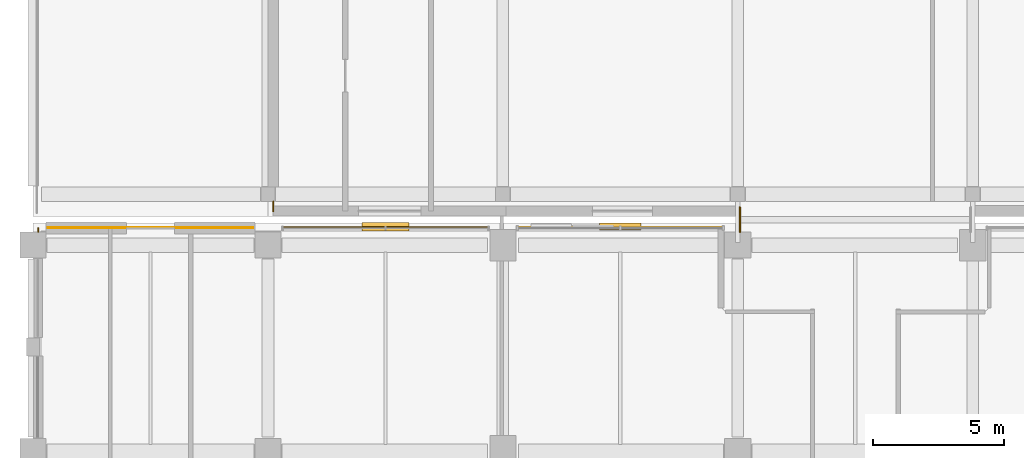
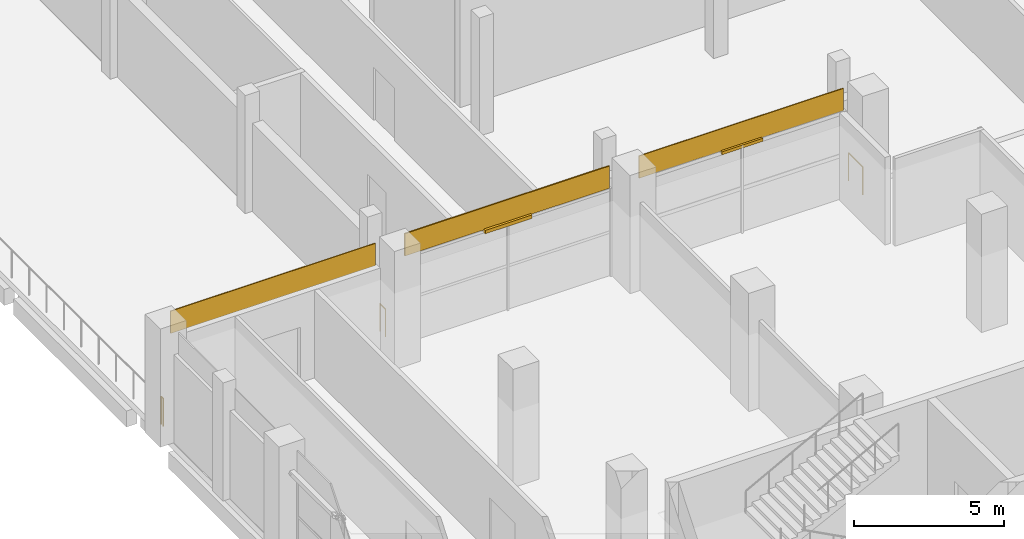
# One storey, part 98 of 111: 3 coverings, 3 railings, 2 shading devices.
"""IFC4 building model written with IfcOpenShell, lengths in metres."""

from ifc_helpers import new_model, si_unit, direction, frame, origin, origin_2d, place, context, subcontext, project, spatial, rectangle, circle, extrude, material, layer, layer_set, type_object, element, save


model = new_model("IFC4")

# Units and contexts
model_context = context("Model", 3, precision=1e-05, world=origin(), true_north=direction((0.0, 1.0)))
body_context = subcontext(model_context, "Body", "Model", "MODEL_VIEW")
ifc_project = project(units=[si_unit("LENGTHUNIT", "METRE"), si_unit("AREAUNIT", "SQUARE_METRE"), si_unit("VOLUMEUNIT", "CUBIC_METRE"), si_unit("PLANEANGLEUNIT", "RADIAN"), si_unit("MASSUNIT", "GRAM", prefix="KILO"), si_unit("THERMODYNAMICTEMPERATUREUNIT", "KELVIN"), si_unit("POWERUNIT", "WATT")], contexts=[model_context])

# Site, building, storey
site_placement = place(None, origin())
site = spatial("IfcSite", under=ifc_project, at=site_placement, CompositionType="ELEMENT")
building_placement = place(site_placement, origin())
building = spatial("IfcBuilding", under=site, at=building_placement, Name="Sindhuravela Promenade Stadium", CompositionType="ELEMENT")
storey_placement = place(building_placement, frame((0.0, 0.0, 9.60009765625)))
storey = spatial("IfcBuildingStorey", under=building, at=storey_placement, Name="L02", CompositionType="ELEMENT", Elevation=9.60009765625)

# Coverings
ifc_material_1 = material(Name="Polychrome trencadis ceramic mosaic", Category="masonry")
ifc_layer_1 = layer(ifc_material_1, 0.034912109375)
ifc_layer_set_1 = layer_set([ifc_layer_1], Name="Polychrome trencadis ceramic mosaic")
covering_type_1 = type_object("IfcCoveringType", Name="CV-TRENC-1", PredefinedType="CLADDING", material=ifc_layer_set_1)
for number, where, z_axis, x_axis, name in (
    (1, (4.5, 125.570068359375, 3.5546875), (0.0, 0.0, 1.0), (1.0, 0.0, 0.0), "Trencadis ceramic mosaic spandrel frieze WEST L02-44"),
    (2, (22.5, 125.570068359375, 3.5546875), (0.0, 0.0, 1.0), (1.0, 0.0, 0.0), "Trencadis ceramic mosaic spandrel frieze WEST L02-46"),
):
    element("IfcCovering", number, at=place(storey_placement, frame(where, z_axis=z_axis, x_axis=x_axis)), inside=storey, type_object=covering_type_1, Name=name, PredefinedType="CLADDING", context=body_context, shape_type="SweptSolid", body=[
        extrude(rectangle(XDim=7.8701171875, YDim=0.034912109375, at=origin_2d()), origin(), (0.0, 0.0, 1.0), 0.905029296875),
    ])
ifc_layer_2 = layer(ifc_material_1, 0.050048828125)
ifc_layer_set_2 = layer_set([ifc_layer_2], Name="Polychrome trencadis ceramic mosaic")
covering_type_2 = type_object("IfcCoveringType", Name="CV-TRENC-2", PredefinedType="CLADDING", material=ifc_layer_set_2)
covering_placement = place(storey_placement, frame((13.5, 125.570068359375, 3.5546875), z_axis=(0.0, 0.0, 1.0), x_axis=(1.0, 0.0, 0.0)))
element("IfcCovering", 3, at=covering_placement, inside=storey, type_object=covering_type_2, Name="Trencadis ceramic mosaic spandrel frieze WEST L02-45", PredefinedType="CLADDING", context=body_context, shape_type="SweptSolid", body=[
    extrude(rectangle(XDim=7.8701171875, YDim=0.050048828125, at=origin_2d()), origin(), (0.0, 0.0, 1.0), 0.905029296875),
])

# Railings
ifc_material_2 = material(Name="Architectural wrought steel E350", Category="steel")
railing_type = type_object("IfcRailingType", Name="RL-GRD-1150", PredefinedType="GUARDRAIL", material=ifc_material_2)
railing_1_placement = place(storey_placement, frame((0.199951171875, 125.405029296875, 0.0)))
element("IfcRailing", 4, at=railing_1_placement, inside=storey, type_object=railing_type, Name="Perimeter edge return guard WEST L02", PredefinedType="GUARDRAIL", context=body_context, shape_type="SweptSolid", body=[
    extrude(circle(Radius=0.02392578125, at=origin_2d()), frame((0.0, 0.0, 1.1259765625), z_axis=(0.0, 1.0, 0.0), x_axis=(-1.0, 0.0, 0.0)), (0.0, 0.0, 1.0), 0.14501953125),
    extrude(circle(Radius=0.02099609375, at=origin_2d()), origin(), (0.0, 0.0, 1.0), 1.101806640625),
    extrude(circle(Radius=0.02099609375, at=origin_2d()), frame((0.0, 0.14501953125, 0.0)), (0.0, 0.0, 1.0), 1.101806640625),
])
railing_2_placement = place(storey_placement, frame((9.199951171875, 126.199951171875, 0.0)))
element("IfcRailing", 5, at=railing_2_placement, inside=storey, type_object=railing_type, Name="Perimeter edge return guard Pavilion NW L02", PredefinedType="GUARDRAIL", context=body_context, shape_type="SweptSolid", body=[
    extrude(circle(Radius=0.02392578125, at=origin_2d()), frame((0.0, 0.0, 1.1259765625), z_axis=(0.0, 1.0, 0.0), x_axis=(-1.0, 0.0, 0.0)), (0.0, 0.0, 1.0), 0.3701171875),
    extrude(circle(Radius=0.02099609375, at=origin_2d()), origin(), (0.0, 0.0, 1.0), 1.101806640625),
    extrude(circle(Radius=0.02099609375, at=origin_2d()), frame((0.0, 0.3701171875, 0.0)), (0.0, 0.0, 1.0), 1.101806640625),
])
railing_3_placement = place(storey_placement, frame((27.080078125, 125.39990234375, 0.0)))
element("IfcRailing", 6, at=railing_3_placement, inside=storey, type_object=railing_type, Name="Bridge edge guardrail GR01-75", PredefinedType="GUARDRAIL", context=body_context, shape_type="SweptSolid", body=[
    extrude(circle(Radius=0.02392578125, at=origin_2d()), frame((0.0, 0.0, 1.1259765625), z_axis=(0.0, 1.0, 0.0), x_axis=(-1.0, 0.0, 0.0)), (0.0, 0.0, 1.0), 0.9501953125),
    extrude(circle(Radius=0.02099609375, at=origin_2d()), origin(), (0.0, 0.0, 1.0), 1.101806640625),
    extrude(circle(Radius=0.02099609375, at=origin_2d()), frame((0.0, 0.9501953125, 0.0)), (0.0, 0.0, 1.0), 1.101806640625),
])

# Shading devices
ifc_material_3 = material(Name="Perforated terracotta celosia brick (15 MPa)", Category="masonry")
shading_device_type_1 = type_object("IfcShadingDeviceType", Name="SH-JAL-1", PredefinedType="JALOUSIE", material=ifc_material_3)
shading_device_1_placement = place(storey_placement, frame((22.5, 125.610107421875, 3.4599609375), z_axis=(0.0, 0.0, 1.0), x_axis=(1.0, 0.0, 0.0)))
element("IfcShadingDevice", 7, at=shading_device_1_placement, inside=storey, type_object=shading_device_type_1, Name="Terracotta solar shading louvre WEST L02-12", PredefinedType="JALOUSIE", context=body_context, shape_type="SweptSolid", body=[
    extrude(rectangle(XDim=1.580078125, YDim=0.280029296875, at=origin_2d()), origin(), (0.0, 0.0, 1.0), 0.1201171875),
])
shading_device_type_2 = type_object("IfcShadingDeviceType", Name="SH-JAL-2", PredefinedType="JALOUSIE", material=ifc_material_3)
shading_device_2_placement = place(storey_placement, frame((13.5, 125.610107421875, 3.4501953125), z_axis=(0.0, 0.0, 1.0), x_axis=(1.0, 0.0, 0.0)))
element("IfcShadingDevice", 8, at=shading_device_2_placement, inside=storey, type_object=shading_device_type_2, Name="Terracotta solar shading louvre WEST L02-11", PredefinedType="JALOUSIE", context=body_context, shape_type="SweptSolid", body=[
    extrude(rectangle(XDim=1.800048828125, YDim=0.320068359375, at=origin_2d()), origin(), (0.0, 0.0, 1.0), 0.139892578125),
])

save(model, "model.ifc")
